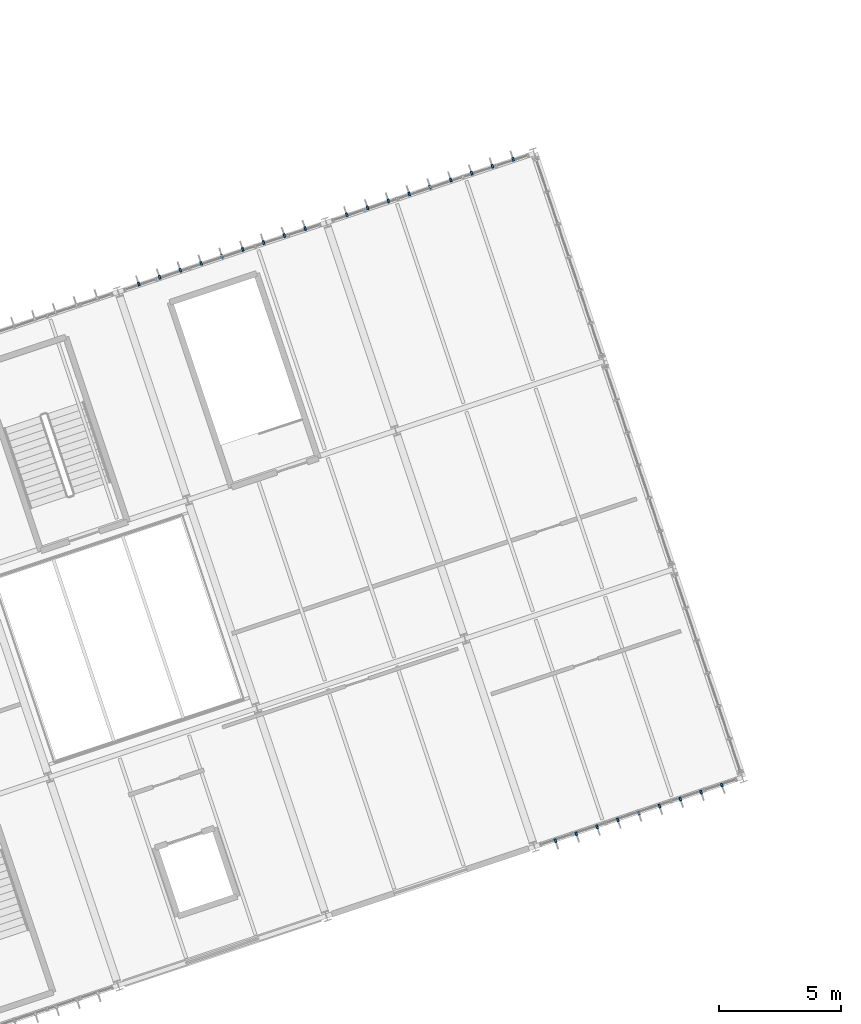
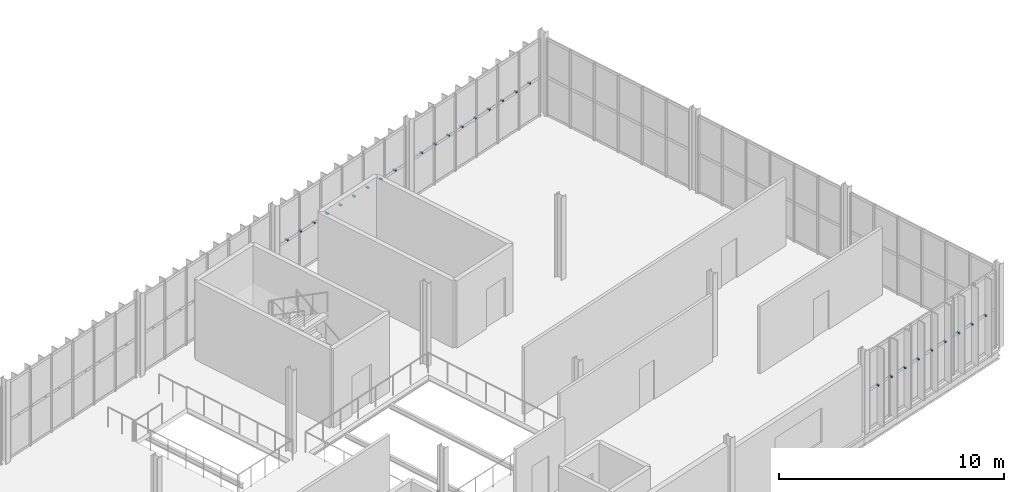
# One storey, part 139 of 152: 27 discrete accessories.
"""IFC4 building model written with IfcOpenShell, lengths in metres."""

from ifc_helpers import new_model, si_unit, derived_unit, direction, frame, origin, origin_2d, place, context, subcontext, project, spatial, rectangle, extrude, material, type_object, element, save


model = new_model("IFC4")

# Units and contexts
model_context = context("Model", 3, precision=1e-05, world=origin(), true_north=direction((0.0, 1.0)))
body_context = subcontext(model_context, "Body", "Model", "MODEL_VIEW")
ifc_project = project(units=[si_unit("LENGTHUNIT", "METRE"), si_unit("AREAUNIT", "SQUARE_METRE"), si_unit("VOLUMEUNIT", "CUBIC_METRE"), si_unit("PLANEANGLEUNIT", "RADIAN"), si_unit("MASSUNIT", "GRAM", prefix="KILO"), si_unit("THERMODYNAMICTEMPERATUREUNIT", "KELVIN"), si_unit("TIMEUNIT", "SECOND"), derived_unit("THERMALTRANSMITTANCEUNIT", [(si_unit("MASSUNIT", "GRAM", prefix="KILO"), 1), (si_unit("THERMODYNAMICTEMPERATUREUNIT", "KELVIN"), -1), (si_unit("TIMEUNIT", "SECOND"), -3)])], contexts=[model_context])

# Site, building, storey
site_placement = place(None, origin())
site = spatial("IfcSite", under=ifc_project, at=site_placement, CompositionType="ELEMENT")
building_placement = place(site_placement, origin())
building = spatial("IfcBuilding", under=site, at=building_placement, Name="Cambertide Market Hall", CompositionType="ELEMENT")
storey_placement = place(building_placement, frame((0.0, 0.0, 5.39990234375)))
storey = spatial("IfcBuildingStorey", under=building, at=storey_placement, Name="L02", CompositionType="ELEMENT", Elevation=5.39990234375)

# Discrete accessories
ifc_material = material(Name="Stainless Steel Grade 316", Category="metal")
discrete_accessory_type = type_object("IfcDiscreteAccessoryType", Name="Stainless Fin Outrigger Tie Bracket", PredefinedType="BRACKET", material=ifc_material)
for number, where, z_axis, x_axis, name in (
    (1, (140.99365234375, 52.167236328125, 2.06005859375), (0.0, 0.0, 1.0), (0.948683274577, 0.316227836438, 0.0), "CW-V3N-L02-6 Fin Tie Bracket 1"),
    (2, (141.84765625, 52.451904296875, 2.06005859375), (0.0, 0.0, 1.0), (0.948683274577, 0.316227836438, 0.0), "CW-V3N-L02-6 Fin Tie Bracket 2"),
    (3, (142.701416015625, 52.736572265625, 2.06005859375), (0.0, 0.0, 1.0), (0.948683274577, 0.316227836438, 0.0), "CW-V3N-L02-6 Fin Tie Bracket 3"),
    (4, (143.55517578125, 53.02099609375, 2.06005859375), (0.0, 0.0, 1.0), (0.948683274577, 0.316227836438, 0.0), "CW-V3N-L02-6 Fin Tie Bracket 4"),
    (5, (144.408935546875, 53.3056640625, 2.06005859375), (0.0, 0.0, 1.0), (0.948683274577, 0.316227836438, 0.0), "CW-V3N-L02-6 Fin Tie Bracket 5"),
    (6, (145.262939453125, 53.59033203125, 2.06005859375), (0.0, 0.0, 1.0), (0.948683274577, 0.316227836438, 0.0), "CW-V3N-L02-6 Fin Tie Bracket 6"),
    (7, (146.11669921875, 53.875, 2.06005859375), (0.0, 0.0, 1.0), (0.948683274577, 0.316227836438, 0.0), "CW-V3N-L02-6 Fin Tie Bracket 7"),
    (8, (146.970458984375, 54.159423828125, 2.06005859375), (0.0, 0.0, 1.0), (0.948683274577, 0.316227836438, 0.0), "CW-V3N-L02-6 Fin Tie Bracket 8"),
    (9, (147.82421875, 54.444091796875, 2.06005859375), (0.0, 0.0, 1.0), (0.948683274577, 0.316227836438, 0.0), "CW-V3N-L02-6 Fin Tie Bracket 9"),
    (10, (149.531982421875, 55.01318359375, 2.06005859375), (0.0, 0.0, 1.0), (0.948683286311, 0.316227801236, 0.0), "CW-V3N-L02-7 Fin Tie Bracket 1"),
    (11, (150.3857421875, 55.2978515625, 2.06005859375), (0.0, 0.0, 1.0), (0.948683286311, 0.316227801236, 0.0), "CW-V3N-L02-7 Fin Tie Bracket 2"),
    (12, (151.239501953125, 55.58251953125, 2.06005859375), (0.0, 0.0, 1.0), (0.948683286311, 0.316227801236, 0.0), "CW-V3N-L02-7 Fin Tie Bracket 3"),
    (13, (152.09326171875, 55.8671875, 2.06005859375), (0.0, 0.0, 1.0), (0.948683286311, 0.316227801236, 0.0), "CW-V3N-L02-7 Fin Tie Bracket 4"),
    (14, (152.947265625, 56.151611328125, 2.06005859375), (0.0, 0.0, 1.0), (0.948683286311, 0.316227801236, 0.0), "CW-V3N-L02-7 Fin Tie Bracket 5"),
    (15, (153.801025390625, 56.436279296875, 2.06005859375), (0.0, 0.0, 1.0), (0.948683286311, 0.316227801236, 0.0), "CW-V3N-L02-7 Fin Tie Bracket 6"),
    (16, (154.65478515625, 56.720947265625, 2.06005859375), (0.0, 0.0, 1.0), (0.948683286311, 0.316227801236, 0.0), "CW-V3N-L02-7 Fin Tie Bracket 7"),
    (17, (155.508544921875, 57.005615234375, 2.06005859375), (0.0, 0.0, 1.0), (0.948683286311, 0.316227801236, 0.0), "CW-V3N-L02-7 Fin Tie Bracket 8"),
    (18, (156.362548828125, 57.2900390625, 2.06005859375), (0.0, 0.0, 1.0), (0.948683286311, 0.316227801236, 0.0), "CW-V3N-L02-7 Fin Tie Bracket 9"),
    (19, (164.92578125, 31.599853515625, 2.06005859375), (0.0, 0.0, 1.0), (-0.948683286311, -0.316227801236, 0.0), "CW-V3S-L02-7 Fin Tie Bracket 1"),
    (20, (164.072021484375, 31.315185546875, 2.06005859375), (0.0, 0.0, 1.0), (-0.948683286311, -0.316227801236, 0.0), "CW-V3S-L02-7 Fin Tie Bracket 2"),
    (21, (163.21826171875, 31.030517578125, 2.06005859375), (0.0, 0.0, 1.0), (-0.948683286311, -0.316227801236, 0.0), "CW-V3S-L02-7 Fin Tie Bracket 3"),
    (22, (162.364501953125, 30.74609375, 2.06005859375), (0.0, 0.0, 1.0), (-0.948683286311, -0.316227801236, 0.0), "CW-V3S-L02-7 Fin Tie Bracket 4"),
    (23, (161.5107421875, 30.46142578125, 2.06005859375), (0.0, 0.0, 1.0), (-0.948683286311, -0.316227801236, 0.0), "CW-V3S-L02-7 Fin Tie Bracket 5"),
    (24, (160.65673828125, 30.1767578125, 2.06005859375), (0.0, 0.0, 1.0), (-0.948683286311, -0.316227801236, 0.0), "CW-V3S-L02-7 Fin Tie Bracket 6"),
    (25, (159.802978515625, 29.89208984375, 2.06005859375), (0.0, 0.0, 1.0), (-0.948683286311, -0.316227801236, 0.0), "CW-V3S-L02-7 Fin Tie Bracket 7"),
    (26, (158.94921875, 29.607666015625, 2.06005859375), (0.0, 0.0, 1.0), (-0.948683286311, -0.316227801236, 0.0), "CW-V3S-L02-7 Fin Tie Bracket 8"),
    (27, (158.095458984375, 29.322998046875, 2.06005859375), (0.0, 0.0, 1.0), (-0.948683286311, -0.316227801236, 0.0), "CW-V3S-L02-7 Fin Tie Bracket 9"),
):
    element("IfcDiscreteAccessory", number, at=place(storey_placement, frame(where, z_axis=z_axis, x_axis=x_axis)), inside=storey, type_object=discrete_accessory_type, Name=name, PredefinedType="BRACKET", context=body_context, shape_type="SweptSolid", body=[
        extrude(rectangle(XDim=0.080078125, YDim=0.159912109375, at=origin_2d()), origin(), (0.0, 0.0, 1.0), 0.080078125),
    ])

save(model, "model.ifc")
